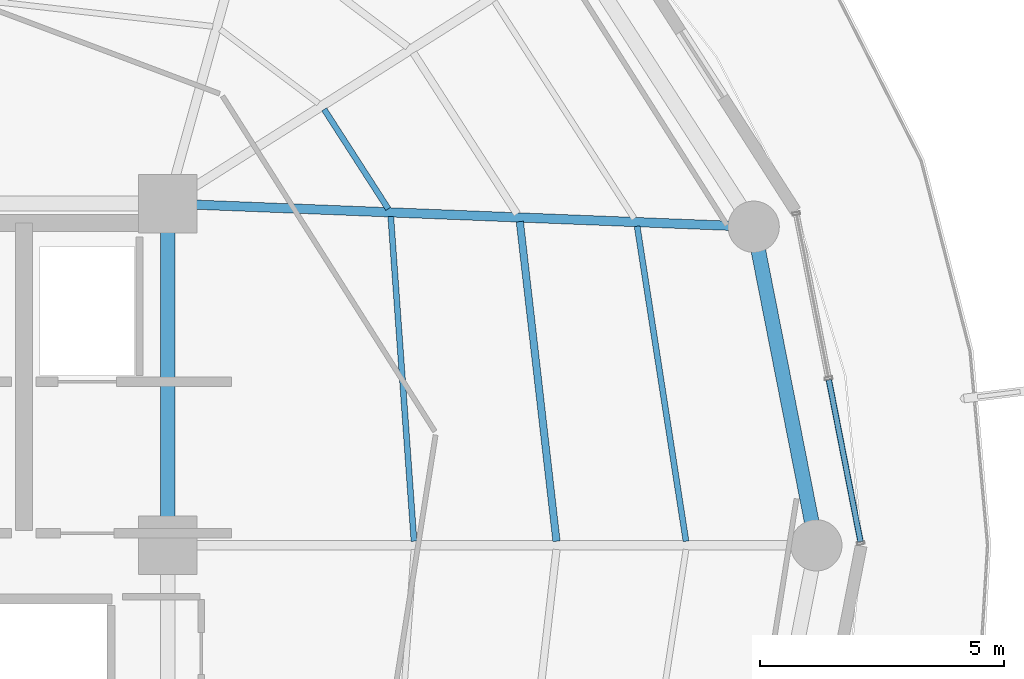
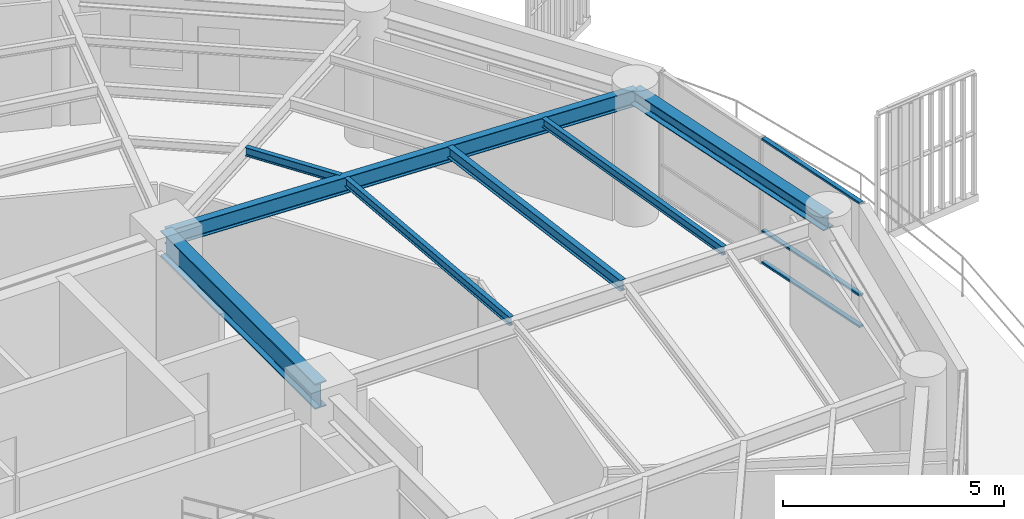
# One storey, part 14 of 30: 7 beams, 3 members, 1 element without a shape of its own.
"""IFC4 building model written with IfcOpenShell, lengths in metres."""

import ifcopenshell
import ifcopenshell.guid

model = None  # the IFC model being written
_history = None  # IfcOwnerHistory: only IFC2X3 demands one
_inside = {}  # id of a spatial element -> (the spatial element, [elements in it])
_under = {}  # id of a project, library or spatial element -> (it, [spatial elements below it])
_declared = {}  # id of a project -> (the project, [libraries it declares])
_typed = {}  # id of a type object -> (the type object, [elements of that type])
_made_of = {}  # id of a material, layer set ... -> (it, [elements and type objects made of it])


def new_model(schema):
    """Start an empty IFC model of exactly this schema.

    Asked for "IFC4X3", IfcOpenShell would pick the latest addendum, in which some entities
    have other attributes; the version numbers below select the first issue.
    IFC2X3 requires an IfcOwnerHistory on every rooted entity: one is made here for all.
    """
    global model, _history
    if schema == "IFC4X3":
        model = ifcopenshell.file(schema_version=(4, 3, 0, 0))
    else:
        model = ifcopenshell.file(schema=schema)
    _inside.clear()
    _under.clear()
    _declared.clear()
    _typed.clear()
    _made_of.clear()
    _history = None
    if model.schema == "IFC2X3":
        org = make("IfcOrganization", Name="unknown")
        user = make(
            "IfcPersonAndOrganization",
            ThePerson=make("IfcPerson", FamilyName="unknown"),
            TheOrganization=org,
        )
        app = make(
            "IfcApplication",
            ApplicationDeveloper=org,
            Version="unknown",
            ApplicationFullName="unknown",
            ApplicationIdentifier="unknown",
        )
        _history = make(
            "IfcOwnerHistory",
            OwningUser=user,
            OwningApplication=app,
            ChangeAction="ADDED",
            CreationDate=0,
        )
    return model


def make(cls, **values):
    """One entity of the class cls with the attributes given. An attribute that is None is left unset."""
    return model.create_entity(
        cls, **{name: value for name, value in values.items() if value is not None}
    )


def rooted(cls, **values):
    """An entity with a GlobalId (a new one), such as an element, a storey or a relation."""
    return make(cls, GlobalId=ifcopenshell.guid.new(), OwnerHistory=_history, **values)


def si_unit(unit_type, name, prefix=None):
    """IfcSIUnit, for example si_unit("LENGTHUNIT", "METRE", prefix="MILLI")."""
    return make("IfcSIUnit", UnitType=unit_type, Prefix=prefix, Name=name)


def assignment(units):
    """IfcUnitAssignment: the units of a project."""
    return None if units is None else make("IfcUnitAssignment", Units=units)


def point(xyz):
    """IfcCartesianPoint."""
    return None if xyz is None else make("IfcCartesianPoint", Coordinates=xyz)


def direction(xyz):
    """IfcDirection."""
    return None if xyz is None else make("IfcDirection", DirectionRatios=xyz)


def frame(location, z_axis=None, x_axis=None):
    """IfcAxis2Placement3D, a coordinate frame: its origin and axes. An axis left out is left unset."""
    return make(
        "IfcAxis2Placement3D",
        Location=point(location),
        Axis=direction(z_axis),
        RefDirection=direction(x_axis),
    )


def frame_2d(location, x_axis=None):
    """IfcAxis2Placement2D, a coordinate frame in the plane: its origin and x axis."""
    return make(
        "IfcAxis2Placement2D", Location=point(location), RefDirection=direction(x_axis)
    )


def origin():
    """The frame at (0, 0, 0) with its axes left unset."""
    return frame((0.0, 0.0, 0.0))


def origin_2d():
    """The frame at (0, 0) in the plane with its x axis left unset."""
    return frame_2d((0.0, 0.0))


def place(relative_to, where):
    """IfcLocalPlacement: puts the frame where relative to a parent placement (None: the world)."""
    return make(
        "IfcLocalPlacement", PlacementRelTo=relative_to, RelativePlacement=where
    )


def context(
    kind, dimensions, precision=None, world=None, true_north=None, identifier=None
):
    """IfcGeometricRepresentationContext, for example the 3D "Model" context."""
    return make(
        "IfcGeometricRepresentationContext",
        ContextIdentifier=identifier,
        ContextType=kind,
        CoordinateSpaceDimension=dimensions,
        Precision=precision,
        WorldCoordinateSystem=world,
        TrueNorth=true_north,
    )


def subcontext(parent, identifier, kind, view, scale=None):
    """IfcGeometricRepresentationSubContext, for example "Body" below "Model"."""
    return make(
        "IfcGeometricRepresentationSubContext",
        ContextIdentifier=identifier,
        ContextType=kind,
        ParentContext=parent,
        TargetScale=scale,
        TargetView=view,
    )


def project(units=None, contexts=None):
    """IfcProject with its units and contexts."""
    return rooted(
        "IfcProject",
        Name="project",
        RepresentationContexts=contexts,
        UnitsInContext=assignment(units),
    )


def spatial(cls, under=None, at=None, **own):
    """A site, building, storey or space (cls), placed at a placement, below another one or the project."""
    s = rooted(cls, ObjectPlacement=at, **own)
    if under is not None:
        _under.setdefault(under.id(), (under, []))[1].append(s)
    return s


def profile(cls, at=None, kind="AREA", **sizes):
    """A parametric profile (cls). Its sizes go by their IFC names, for example OverallWidth=200.0."""
    return make(cls, ProfileType=kind, Position=at, **sizes)


def hollow_rectangle(**sizes):
    """IfcRectangleHollowProfileDef."""
    return profile("IfcRectangleHollowProfileDef", **sizes)


def i_section(**sizes):
    """IfcIShapeProfileDef."""
    return profile("IfcIShapeProfileDef", **sizes)


def extrude(swept, where, along, depth):
    """IfcExtrudedAreaSolid: the profile swept, set in the frame where, extruded along a direction by depth."""
    return make(
        "IfcExtrudedAreaSolid",
        SweptArea=swept,
        Position=where,
        ExtrudedDirection=direction(along),
        Depth=depth,
    )


def shape(context_of_items, identifier, shape_type, items):
    """IfcShapeRepresentation: the items that make up one representation, for example the "Body"."""
    return make(
        "IfcShapeRepresentation",
        ContextOfItems=context_of_items,
        RepresentationIdentifier=identifier,
        RepresentationType=shape_type,
        Items=items,
    )


def material(Name=None, Category=None):
    """IfcMaterial."""
    return make("IfcMaterial", Name=Name, Category=Category)


def layer(
    of_material, thickness, ventilated=None, Name=None, Category=None, Priority=None
):
    """IfcMaterialLayer: one layer of a wall or slab, of a material (None: an air gap)."""
    return make(
        "IfcMaterialLayer",
        Material=of_material,
        LayerThickness=thickness,
        IsVentilated=ventilated,
        Name=Name,
        Category=Category,
        Priority=Priority,
    )


def layer_set(layers, Name=None):
    """IfcMaterialLayerSet."""
    return make("IfcMaterialLayerSet", MaterialLayers=layers, LayerSetName=Name)


def material_profile(
    of_material, cross_section, Name=None, Category=None, Priority=None
):
    """IfcMaterialProfile: a cross section and its material."""
    return make(
        "IfcMaterialProfile",
        Name=Name,
        Material=of_material,
        Profile=cross_section,
        Priority=Priority,
        Category=Category,
    )


def profile_set(profiles, Name=None, composite=None):
    """IfcMaterialProfileSet."""
    return make(
        "IfcMaterialProfileSet",
        Name=Name,
        MaterialProfiles=profiles,
        CompositeProfile=composite,
    )


def made_of(thing, what):
    """Note that an element or type object is made of a material, layer set ...; save() writes the relation."""
    if what is not None:
        _made_of.setdefault(what.id(), (what, []))[1].append(thing)
    return thing


def type_object(cls, material=None, **own):
    """A type object (cls), such as IfcWallType, which elements share."""
    return made_of(rooted(cls, **own), material)


def element(
    cls,
    number,
    at=None,
    inside=None,
    cuts=None,
    type_object=None,
    material=None,
    context=None,
    identifier="Body",
    shape_type=None,
    held_by="IfcProductDefinitionShape",
    body=None,
    shapes=None,
    **own,
):
    """One element of the class cls, such as IfcWall. Its Tag is "e" and its number.

    at: its placement. inside: the storey or other place that contains it. cuts: it is an
    opening in that element (IfcRelVoidsElement). A single representation is given by context,
    identifier, shape_type and body (its items); several are given by shapes. held_by: the class
    of the entity that holds the representations. save() writes the other relations.
    """
    e = rooted(cls, Tag="e%d" % number, ObjectPlacement=at, **own)
    if body is not None:
        shapes = [shape(context, identifier, shape_type, body)]
    if shapes is not None:
        e.Representation = make(held_by, Representations=shapes)
    if inside is not None:
        _inside.setdefault(inside.id(), (inside, []))[1].append(e)
    if cuts is not None:
        rooted(
            "IfcRelVoidsElement", RelatingBuildingElement=cuts, RelatedOpeningElement=e
        )
    if type_object is not None:
        _typed.setdefault(type_object.id(), (type_object, []))[1].append(e)
    return made_of(e, material)


def aggregate(whole, parts):
    """IfcRelAggregates: a whole, such as a stair, and the parts it consists of."""
    return rooted("IfcRelAggregates", RelatingObject=whole, RelatedObjects=parts)


def save(model, path):
    """Write the relations noted so far, then the file.

    IfcRelAggregates (storeys below a building ...), IfcRelContainedInSpatialStructure (elements
    in a storey), IfcRelDefinesByType, IfcRelAssociatesMaterial and IfcRelDeclares: one each for
    every whole, place, type object, material and project.
    """
    for whole, parts in _under.values():
        aggregate(whole, parts)
    for where, things in _inside.values():
        rooted(
            "IfcRelContainedInSpatialStructure",
            RelatedElements=things,
            RelatingStructure=where,
        )
    for kind, things in _typed.values():
        rooted("IfcRelDefinesByType", RelatedObjects=things, RelatingType=kind)
    for what, things in _made_of.values():
        rooted("IfcRelAssociatesMaterial", RelatedObjects=things, RelatingMaterial=what)
    for by, libraries in _declared.values():
        rooted("IfcRelDeclares", RelatingContext=by, RelatedDefinitions=libraries)
    model.write(path)


model = new_model("IFC4")

# Units and contexts
model_context = context("Model", 3, precision=1e-05, world=origin(), true_north=direction((0.0, 1.0)))
body_context = subcontext(model_context, "Body", "Model", "MODEL_VIEW")
ifc_project = project(units=[si_unit("LENGTHUNIT", "METRE"), si_unit("AREAUNIT", "SQUARE_METRE"), si_unit("VOLUMEUNIT", "CUBIC_METRE"), si_unit("PLANEANGLEUNIT", "RADIAN"), si_unit("MASSUNIT", "GRAM", prefix="KILO")], contexts=[model_context])

# Site, building, storey
site_placement = place(None, origin())
site = spatial("IfcSite", under=ifc_project, at=site_placement, CompositionType="ELEMENT")
building_placement = place(site_placement, origin())
building = spatial("IfcBuilding", under=site, at=building_placement, Name="Kelanora Arch Commons", CompositionType="ELEMENT")
storey_placement = place(building_placement, frame((0.0, 0.0, 215.699951171875)))
storey = spatial("IfcBuildingStorey", under=building, at=storey_placement, Name="L55", CompositionType="ELEMENT", Elevation=215.699951171875)

# Beams
ifc_material_1 = material(Name="Steel S355", Category="steel")
ifc_material_profile_1 = material_profile(ifc_material_1, i_section(OverallWidth=0.300048828125, OverallDepth=0.699951171875, WebThickness=0.01708984375, FlangeThickness=0.031982421875, FilletRadius=0.027099609375, at=origin_2d()), Name="HEB700")
ifc_profile_set_1 = profile_set([ifc_material_profile_1], Name="Steel S355")
beam_type_1 = type_object("IfcBeamType", Name="BM-CORE-HDR", PredefinedType="BEAM", material=ifc_profile_set_1)
beam_1_placement = place(storey_placement, frame((82.0, 58.0, 3.14013671875), z_axis=(0.0, 1.0, 0.0), x_axis=(-1.0, 0.0, 0.0)))
element("IfcBeam", 1, at=beam_1_placement, inside=storey, type_object=beam_type_1, Name="Core Header Beam 04 L55", PredefinedType="BEAM", context=body_context, shape_type="SweptSolid", body=[
    extrude(i_section(OverallWidth=0.300048828125, OverallDepth=0.699951171875, WebThickness=0.01708984375, FlangeThickness=0.031982421875, FilletRadius=0.027099609375, at=origin_2d()), origin(), (0.0, 0.0, 1.0), 7.0),
])
ifc_material_profile_2 = material_profile(ifc_material_1, i_section(OverallWidth=0.14990234375, OverallDepth=0.300048828125, WebThickness=0.007080078125, FlangeThickness=0.0107421875, FilletRadius=0.014892578125, at=origin_2d()), Name="IPE300")
ifc_profile_set_2 = profile_set([ifc_material_profile_2], Name="Steel S355")
beam_type_2 = type_object("IfcBeamType", Name="BM-JST-01", PredefinedType="JOIST", material=ifc_profile_set_2)
beam_2_placement = place(storey_placement, frame((89.958251953125, 58.08447265625, 3.340087890625), z_axis=(-0.113891408177, 0.993493204377, 0.0), x_axis=(-0.993493204377, -0.113891408177, 0.0)))
element("IfcBeam", 2, at=beam_2_placement, inside=storey, type_object=beam_type_2, Name="Secondary Chord Joist BJB-00 L55", PredefinedType="JOIST", context=body_context, shape_type="SweptSolid", body=[
    extrude(i_section(OverallWidth=0.14990234375, OverallDepth=0.300048828125, WebThickness=0.007080078125, FlangeThickness=0.0107421875, FilletRadius=0.014892578125, at=origin_2d()), origin(), (0.0, 0.0, 1.0), 6.589599609375),
])
ifc_material_profile_3 = material_profile(ifc_material_1, i_section(OverallWidth=0.1201171875, OverallDepth=0.239990234375, WebThickness=0.006103515625, FlangeThickness=0.009765625, FilletRadius=0.014892578125, at=origin_2d()), Name="IPE240")
ifc_profile_set_3 = profile_set([ifc_material_profile_3], Name="Steel S355")
beam_type_3 = type_object("IfcBeamType", Name="BM-JST-02", PredefinedType="JOIST", material=ifc_profile_set_3)
beam_3_placement = place(storey_placement, frame((87.040283203125, 58.084716796875, 3.3701171875), z_axis=(-0.07133032136, 0.997452748382, 0.0), x_axis=(-0.997452748382, -0.07133032136, 0.0)))
element("IfcBeam", 3, at=beam_3_placement, inside=storey, type_object=beam_type_3, Name="Secondary Chord Joist BJA-00 L55", PredefinedType="JOIST", context=body_context, shape_type="SweptSolid", body=[
    extrude(i_section(OverallWidth=0.1201171875, OverallDepth=0.239990234375, WebThickness=0.006103515625, FlangeThickness=0.009765625, FilletRadius=0.014892578125, at=origin_2d()), origin(), (0.0, 0.0, 1.0), 6.66748046875),
])
beam_4_placement = place(storey_placement, frame((92.611083984375, 58.083984375, 3.3701171875), z_axis=(-0.153256756152, 0.988186402808, 0.0), x_axis=(-0.988186402808, -0.153256756152, 0.0)))
element("IfcBeam", 4, at=beam_4_placement, inside=storey, type_object=beam_type_3, Name="Secondary Chord Joist BJC-00 L55", PredefinedType="JOIST", context=body_context, shape_type="SweptSolid", body=[
    extrude(i_section(OverallWidth=0.1201171875, OverallDepth=0.239990234375, WebThickness=0.006103515625, FlangeThickness=0.009765625, FilletRadius=0.014892578125, at=origin_2d()), origin(), (0.0, 0.0, 1.0), 6.52978515625),
])
beam_5_placement = place(storey_placement, frame((86.5126953125, 64.89111328125, 3.3701171875), z_axis=(-0.541332763503, 0.840808443796, 0.0), x_axis=(-0.840808443796, -0.541332763503, 0.0)))
element("IfcBeam", 5, at=beam_5_placement, inside=storey, type_object=beam_type_3, Name="Secondary Chord Joist BJA-02 L55", PredefinedType="JOIST", context=body_context, shape_type="SweptSolid", body=[
    extrude(i_section(OverallWidth=0.1201171875, OverallDepth=0.239990234375, WebThickness=0.006103515625, FlangeThickness=0.009765625, FilletRadius=0.014892578125, at=origin_2d()), origin(), (0.0, 0.0, 1.0), 2.423583984375),
])
ifc_material_profile_4 = material_profile(ifc_material_1, i_section(OverallWidth=0.18994140625, OverallDepth=0.449951171875, WebThickness=0.009521484375, FlangeThickness=0.0146484375, FilletRadius=0.02099609375, at=origin_2d()), Name="IPE450")
ifc_profile_set_4 = profile_set([ifc_material_profile_4], Name="Steel S355")
beam_type_4 = type_object("IfcBeamType", Name="BM-RAD-Z4", PredefinedType="BEAM", material=ifc_profile_set_4)
beam_6_placement = place(storey_placement, frame((82.0, 65.0, 3.26513671875), z_axis=(0.999219142585, -0.03951082246, 0.0), x_axis=(0.03951082246, 0.999219142585, 0.0)))
element("IfcBeam", 6, at=beam_6_placement, inside=storey, type_object=beam_type_4, Name="Radial Floor Girder BR-02 L55", PredefinedType="BEAM", context=body_context, shape_type="SweptSolid", body=[
    extrude(i_section(OverallWidth=0.18994140625, OverallDepth=0.449951171875, WebThickness=0.009521484375, FlangeThickness=0.0146484375, FilletRadius=0.02099609375, at=origin_2d()), origin(), (0.0, 0.0, 1.0), 12.005859375),
])
ifc_material_profile_5 = material_profile(ifc_material_1, i_section(OverallWidth=0.300048828125, OverallDepth=0.39990234375, WebThickness=0.013427734375, FlangeThickness=0.02392578125, FilletRadius=0.027099609375, at=origin_2d()), Name="HEB400")
ifc_profile_set_5 = profile_set([ifc_material_profile_5], Name="Steel S355")
beam_type_5 = type_object("IfcBeamType", Name="BM-SPN-Z4", PredefinedType="SPANDREL", material=ifc_profile_set_5)
beam_7_placement = place(storey_placement, frame((95.280029296875, 58.0, 3.2900390625), z_axis=(-0.192980724826, 0.981202547819, 0.0), x_axis=(-0.981202547819, -0.192980724826, 0.0)))
element("IfcBeam", 7, at=beam_7_placement, inside=storey, type_object=beam_type_5, Name="Perimeter Spandrel Beam BS-00 L55", PredefinedType="SPANDREL", context=body_context, shape_type="SweptSolid", body=[
    extrude(i_section(OverallWidth=0.300048828125, OverallDepth=0.39990234375, WebThickness=0.013427734375, FlangeThickness=0.02392578125, FilletRadius=0.027099609375, at=origin_2d()), origin(), (0.0, 0.0, 1.0), 6.650634765625),
])

# Curtain wall, members
ifc_material_2 = material(Name="Terracotta ceramic-fritted low-E glass and aluminium", Category="masonry")
ifc_layer = layer(ifc_material_2, 0.175048828125)
ifc_layer_set = layer_set([ifc_layer], Name="Terracotta ceramic-fritted low-E glass and aluminium")
curtain_wall_type = type_object("IfcCurtainWallType", Name="CW-SYS-02", PredefinedType="NOTDEFINED", material=ifc_layer_set)
curtain_wall_placement = place(storey_placement, origin())
curtain_wall = element("IfcCurtainWall", 8, at=curtain_wall_placement, inside=storey, type_object=curtain_wall_type, Name="Unitised Curtain Wall L55-B00", PredefinedType="NOTDEFINED")
ifc_material_3 = material(Name="Powder-coated aluminium terracotta", Category="masonry")
ifc_material_profile_6 = material_profile(ifc_material_3, hollow_rectangle(XDim=0.1201171875, YDim=0.06005859375, WallThickness=0.0048828125, InnerFilletRadius=0.0048828125, OuterFilletRadius=0.010009765625, at=origin_2d()), Name="CWT120x60")
ifc_profile_set_6 = profile_set([ifc_material_profile_6], Name="Powder-coated aluminium terracotta")
member_type = type_object("IfcMemberType", Name="CWT-STD", PredefinedType="USERDEFINED", material=ifc_profile_set_6)
member_1_placement = place(storey_placement, frame((96.185546875, 58.073486328125, 0.030029296875), z_axis=(-0.192044874899, 0.981386145218, 0.0), x_axis=(-0.981386145218, -0.192044874899, 0.0)))
member_1 = element("IfcMember", 9, at=member_1_placement, type_object=member_type, Name="CW-02 transom 1.1", ObjectType="TRANSOM", PredefinedType="USERDEFINED", context=body_context, shape_type="SweptSolid", body=[
    extrude(hollow_rectangle(XDim=0.1201171875, YDim=0.06005859375, WallThickness=0.0048828125, InnerFilletRadius=0.0048828125, OuterFilletRadius=0.010009765625, at=origin_2d()), origin(), (0.0, 0.0, 1.0), 3.38037109375),
])
member_2_placement = place(storey_placement, frame((96.185546875, 58.073486328125, 0.900146484375), z_axis=(-0.192044874899, 0.981386145218, 0.0), x_axis=(-0.981386145218, -0.192044874899, 0.0)))
member_2 = element("IfcMember", 10, at=member_2_placement, type_object=member_type, Name="CW-02 transom 1.2", ObjectType="TRANSOM", PredefinedType="USERDEFINED", context=body_context, shape_type="SweptSolid", body=[
    extrude(hollow_rectangle(XDim=0.1201171875, YDim=0.06005859375, WallThickness=0.0048828125, InnerFilletRadius=0.0048828125, OuterFilletRadius=0.010009765625, at=origin_2d()), origin(), (0.0, 0.0, 1.0), 3.38037109375),
])
member_3_placement = place(storey_placement, frame((96.185546875, 58.073486328125, 3.445068359375), z_axis=(-0.192044874899, 0.981386145218, 0.0), x_axis=(-0.981386145218, -0.192044874899, 0.0)))
member_3 = element("IfcMember", 11, at=member_3_placement, type_object=member_type, Name="CW-02 transom 1.3", ObjectType="TRANSOM", PredefinedType="USERDEFINED", context=body_context, shape_type="SweptSolid", body=[
    extrude(hollow_rectangle(XDim=0.1201171875, YDim=0.06005859375, WallThickness=0.0048828125, InnerFilletRadius=0.0048828125, OuterFilletRadius=0.010009765625, at=origin_2d()), origin(), (0.0, 0.0, 1.0), 3.38037109375),
])
aggregate(curtain_wall, [member_1, member_2, member_3])

save(model, "model.ifc")
